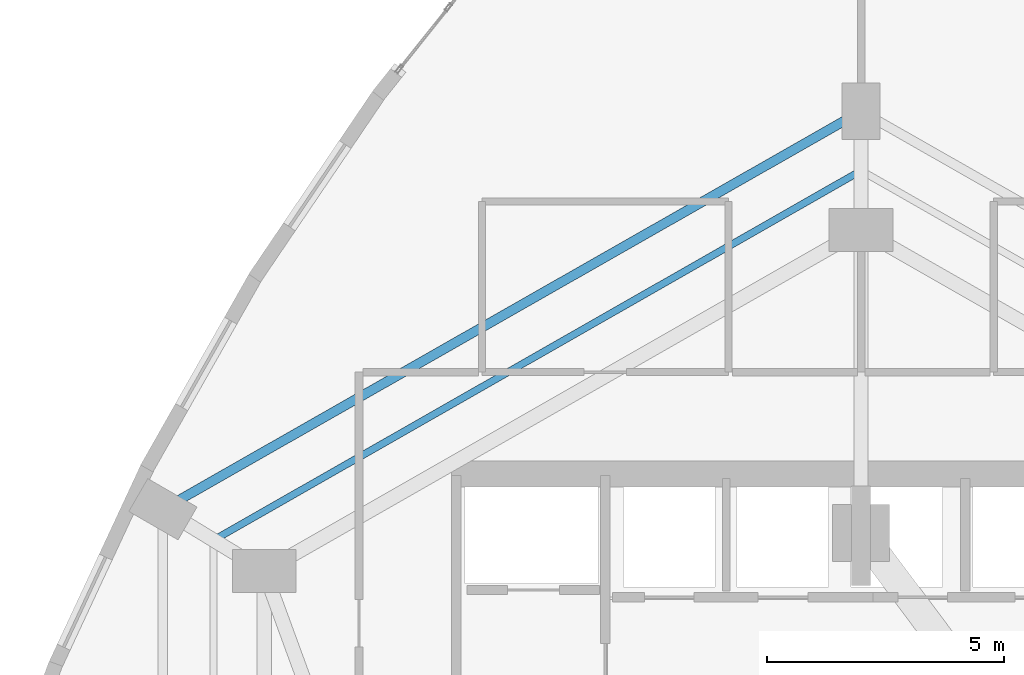
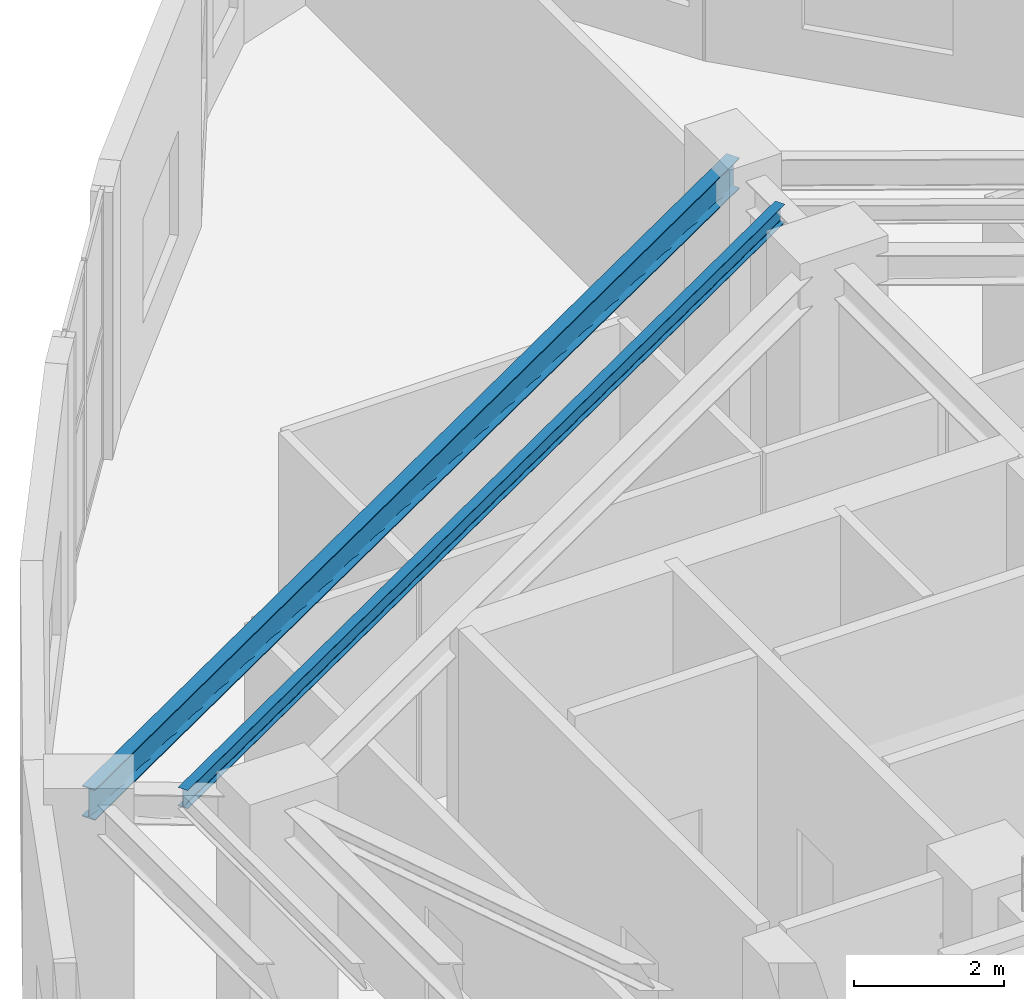
# One storey, part 10 of 17: 2 beams.
"""IFC4 building model written with IfcOpenShell, lengths in metres."""

from ifc_helpers import new_model, si_unit, direction, frame, origin, origin_2d, place, context, subcontext, project, spatial, i_section, extrude, material, material_profile, profile_set, type_object, element, save


model = new_model("IFC4")

# Units and contexts
model_context = context("Model", 3, precision=1e-05, world=origin(), true_north=direction((0.0, 1.0)))
body_context = subcontext(model_context, "Body", "Model", "MODEL_VIEW")
ifc_project = project(units=[si_unit("LENGTHUNIT", "METRE"), si_unit("AREAUNIT", "SQUARE_METRE"), si_unit("VOLUMEUNIT", "CUBIC_METRE"), si_unit("PLANEANGLEUNIT", "RADIAN"), si_unit("MASSUNIT", "GRAM", prefix="KILO")], contexts=[model_context])

# Site, building, storey
site_placement = place(None, origin())
site = spatial("IfcSite", under=ifc_project, at=site_placement, CompositionType="ELEMENT")
building_placement = place(site_placement, origin())
building = spatial("IfcBuilding", under=site, at=building_placement, Name="Miruveldt Soraemaru", CompositionType="ELEMENT")
storey_placement = place(building_placement, frame((0.0, 0.0, 95.800048828125)))
storey = spatial("IfcBuildingStorey", under=building, at=storey_placement, Name="L26", CompositionType="ELEMENT", Elevation=95.800048828125)

# Beams
ifc_material = material(Name="Steel SM355 (355 MPa)", Category="steel")
ifc_material_profile_1 = material_profile(ifc_material, i_section(OverallWidth=0.14990234375, OverallDepth=0.300048828125, WebThickness=0.006591796875, FlangeThickness=0.009033203125, FilletRadius=0.012939453125, at=origin_2d()), Name="Steel SM355 (355 MPa)", Category="steel")
ifc_profile_set_1 = profile_set([ifc_material_profile_1], Name="Steel SM355 (355 MPa)")
beam_type_1 = type_object("IfcBeamType", Name="BM-ST-H300", PredefinedType="JOIST", material=ifc_profile_set_1)
beam_1_placement = place(storey_placement, frame((30.330078125, 51.052490234375, 4.18505859375), z_axis=(0.868539859756, 0.495619321672, 0.0), x_axis=(-0.495619321672, 0.868539859756, 0.0)))
element("IfcBeam", 1, at=beam_1_placement, inside=storey, type_object=beam_type_1, Name="L26 Outer Bay Floor Joist 6", PredefinedType="JOIST", context=body_context, shape_type="SweptSolid", body=[
    extrude(i_section(OverallWidth=0.14990234375, OverallDepth=0.300048828125, WebThickness=0.006591796875, FlangeThickness=0.009033203125, FilletRadius=0.012939453125, at=origin_2d()), origin(), (0.0, 0.0, 1.0), 15.739013671875),
])
ifc_material_profile_2 = material_profile(ifc_material, i_section(OverallWidth=0.199951171875, OverallDepth=0.5, WebThickness=0.010009765625, FlangeThickness=0.01611328125, FilletRadius=0.02001953125, at=origin_2d()), Name="Steel SM355 (355 MPa)", Category="steel")
ifc_profile_set_2 = profile_set([ifc_material_profile_2], Name="Steel SM355 (355 MPa)")
beam_type_2 = type_object("IfcBeamType", Name="BM-ST-H500", PredefinedType="SPANDREL", material=ifc_profile_set_2)
beam_2_placement = place(storey_placement, frame((29.260009765625, 51.705078125, 4.0849609375), z_axis=(0.86880048516, 0.495162313778, 0.0), x_axis=(-0.495162313778, 0.86880048516, 0.0)))
element("IfcBeam", 2, at=beam_2_placement, inside=storey, type_object=beam_type_2, Name="L26 Zone-2 Spandrel Beam 6", PredefinedType="SPANDREL", context=body_context, shape_type="SweptSolid", body=[
    extrude(i_section(OverallWidth=0.199951171875, OverallDepth=0.5, WebThickness=0.010009765625, FlangeThickness=0.01611328125, FilletRadius=0.02001953125, at=origin_2d()), origin(), (0.0, 0.0, 1.0), 16.9658203125),
])

save(model, "model.ifc")
